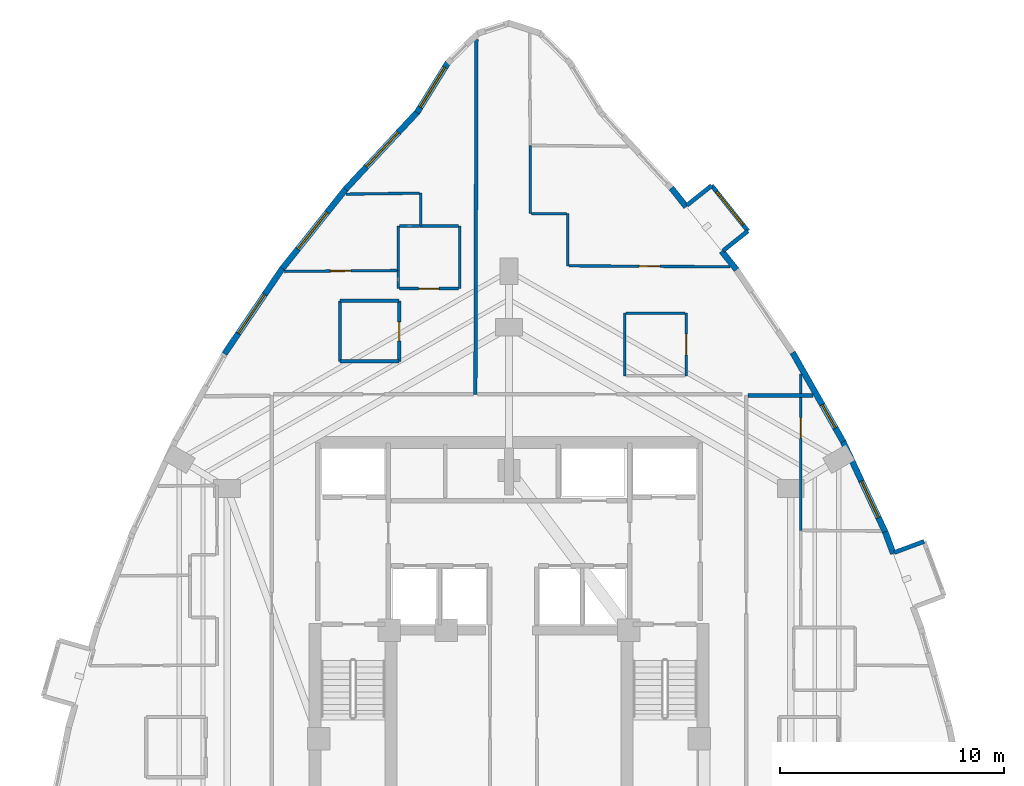
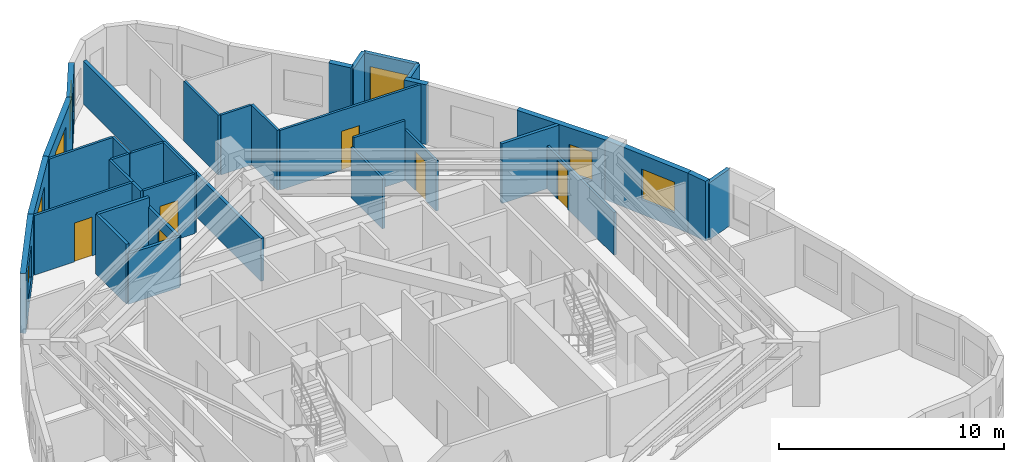
# One storey, part 12 of 14: 36 walls, 7 windows, 6 doors, 13 openings.
"""IFC4 building model written with IfcOpenShell, lengths in metres."""

from ifc_helpers import new_model, si_unit, direction, frame, frame_2d, origin, place, context, subcontext, project, spatial, rectangle, extrude, material, layer, layer_set, type_object, element, fill, save


model = new_model("IFC4")

# Units and contexts
model_context = context("Model", 3, precision=1e-05, world=origin(), true_north=direction((0.0, 1.0)))
body_context = subcontext(model_context, "Body", "Model", "MODEL_VIEW")
ifc_project = project(units=[si_unit("LENGTHUNIT", "METRE"), si_unit("AREAUNIT", "SQUARE_METRE"), si_unit("VOLUMEUNIT", "CUBIC_METRE"), si_unit("PLANEANGLEUNIT", "RADIAN"), si_unit("MASSUNIT", "GRAM", prefix="KILO")], contexts=[model_context])

# Site, building, storey
site_placement = place(None, origin())
site = spatial("IfcSite", under=ifc_project, at=site_placement, CompositionType="ELEMENT")
building_placement = place(site_placement, origin())
building = spatial("IfcBuilding", under=site, at=building_placement, Name="Miruveldt Soraemaru", CompositionType="ELEMENT")
storey_placement = place(building_placement, frame((0.0, 0.0, 117.89990234375)))
storey = spatial("IfcBuildingStorey", under=building, at=storey_placement, Name="L32", CompositionType="ELEMENT", Elevation=117.89990234375)

# Walls
ifc_material_1 = material(Name="White powder-coated aluminium EN AW-6060 T6", Category="aluminium")
ifc_layer_1 = layer(ifc_material_1, 0.18994140625, Name="White powder-coated aluminium EN AW-6060 T6", Category="aluminium")
ifc_layer_set_1 = layer_set([ifc_layer_1], Name="White powder-coated aluminium EN AW-6060 T6")
wall_type_1 = type_object("IfcWallType", Name="WALL-BAY-ALU190", PredefinedType="SOLIDWALL", material=ifc_layer_set_1)
for number, where, z_axis, x_axis, name in (
    (1, (62.55712890625, 48.029541015625, 0.0), (0.0, 0.0, 1.0), (-0.937129361406, -0.348982177182, 0.0), "L32 Bay Window Side Cheek 3R"),
    (2, (53.5703125, 61.017333984375, 0.0), (0.0, 0.0, 1.0), (0.781737193764, 0.623608017817, 0.0), "L32 Bay Window Side Cheek 4L"),
    (3, (53.06298828125, 63.938720703125, 0.0), (0.0, 0.0, 1.0), (-0.781737193764, -0.623608017817, 0.0), "L32 Bay Window Side Cheek 4R"),
):
    element("IfcWall", number, at=place(storey_placement, frame(where, z_axis=z_axis, x_axis=x_axis)), inside=storey, type_object=wall_type_1, Name=name, PredefinedType="SOLIDWALL", context=body_context, shape_type="SweptSolid", body=[
        extrude(rectangle(XDim=1.425048828125, YDim=0.18994140625, at=frame_2d((0.71240234375, 0.0))), origin(), (0.0, 0.0, 1.0), 3.085205078125),
    ])

# Wall, opening, window
wall_1_placement = place(storey_placement, frame((54.684326171875, 61.906005859375, 0.0), z_axis=(0.0, 0.0, 1.0), x_axis=(-0.62356077149, 0.781774880805, 0.0)))
wall_1 = element("IfcWall", 4, at=wall_1_placement, inside=storey, type_object=wall_type_1, Name="L32 Bay Window Front Frame 4", PredefinedType="SOLIDWALL", context=body_context, shape_type="SweptSolid", body=[
    extrude(rectangle(XDim=2.60009765625, YDim=0.18994140625, at=frame_2d((1.300048828125, 0.0))), origin(), (0.0, 0.0, 1.0), 3.085205078125),
])
opening_1_placement = place(wall_1_placement, frame((0.35009765625, 0.0, 0.550048828125)))
opening_1 = element("IfcOpeningElement", 5, at=opening_1_placement, cuts=wall_1, Name="Opening WN-6", PredefinedType="OPENING", context=body_context, shape_type="SweptSolid", body=[
    extrude(rectangle(XDim=1.89990234375, YDim=1.85009765625, at=frame_2d((0.949951171875, 0.925048828125))), frame((0.0, 0.10498046875, 0.0), z_axis=(0.0, -1.0, 0.0), x_axis=(1.0, 0.0, 0.0)), (0.0, 0.0, 1.0), 0.2099609375),
])
ifc_material_2 = material(Name="Triple low-e insulated glazing", Category="glass")
window_type_1 = type_object("IfcWindowType", Name="WIN-BAYW-1900x1850", PartitioningType="SINGLE_PANEL", PredefinedType="WINDOW", material=ifc_material_2)
window_1_placement = place(opening_1_placement, origin())
window_1 = element("IfcWindow", 6, at=window_1_placement, inside=storey, type_object=window_type_1, Name="L32 Projecting Bay Window 4", OverallHeight=1.85009765625, OverallWidth=1.89990234375, PartitioningType="SINGLE_PANEL", PredefinedType="WINDOW", context=body_context, shape_type="SweptSolid", body=[
    extrude(rectangle(XDim=1.89990234375, YDim=1.85009765625, at=frame_2d((0.949951171875, 0.925048828125))), frame((0.0, 0.030029296875, 0.0), z_axis=(0.0, -1.0, 0.0), x_axis=(1.0, 0.0, 0.0)), (0.0, 0.0, 1.0), 0.06005859375),
])
fill(opening_1, window_1)

ifc_material_3 = material(Name="Precast concrete C45/55 (45 MPa)", Category="concrete")
ifc_layer_2 = layer(ifc_material_3, 0.27001953125, Name="Precast concrete C45/55 (45 MPa)", Category="concrete")
ifc_layer_set_2 = layer_set([ifc_layer_2], Name="Precast concrete C45/55 (45 MPa)")
wall_type_2 = type_object("IfcWallType", Name="WALL-EXT-PC270", PredefinedType="SOLIDWALL", material=ifc_layer_set_2)
wall_2_placement = place(storey_placement, frame((41.289306640625, 69.462890625, 0.0), z_axis=(0.0, 0.0, 1.0), x_axis=(-0.526013792322, -0.850476037456, 0.0)))
wall_2 = element("IfcWall", 7, at=wall_2_placement, inside=storey, type_object=wall_type_2, Name="L32 Precast Concrete Facade Wall 6", PredefinedType="SOLIDWALL", context=body_context, shape_type="SweptSolid", body=[
    extrude(rectangle(XDim=2.66357421875, YDim=0.27001953125, at=frame_2d((1.331787109375, 0.0))), origin(), (0.0, 0.0, 1.0), 3.235107421875),
])
opening_2_placement = place(wall_2_placement, frame((0.281982421875, 0.0, 0.800048828125)))
opening_2 = element("IfcOpeningElement", 8, at=opening_2_placement, cuts=wall_2, Name="Opening WN-1", PredefinedType="OPENING", context=body_context, shape_type="SweptSolid", body=[
    extrude(rectangle(XDim=2.10009765625, YDim=1.699951171875, at=frame_2d((1.050048828125, 0.85009765625))), frame((0.0, 0.14501953125, 0.0), z_axis=(0.0, -1.0, 0.0), x_axis=(1.0, 0.0, 0.0)), (0.0, 0.0, 1.0), 0.2900390625),
])
window_type_2 = type_object("IfcWindowType", Name="WIN-PUNCH-2100x1700", PartitioningType="SINGLE_PANEL", PredefinedType="WINDOW", material=ifc_material_2)
window_2_placement = place(opening_2_placement, origin())
window_2 = element("IfcWindow", 9, at=window_2_placement, inside=storey, type_object=window_type_2, Name="L32 Punched Triple-Glazed Window 06.1", OverallHeight=1.699951171875, OverallWidth=2.10009765625, PartitioningType="SINGLE_PANEL", PredefinedType="WINDOW", context=body_context, shape_type="SweptSolid", body=[
    extrude(rectangle(XDim=2.10009765625, YDim=1.699951171875, at=frame_2d((1.050048828125, 0.85009765625))), frame((0.0, 0.030029296875, 0.0), z_axis=(0.0, -1.0, 0.0), x_axis=(1.0, 0.0, 0.0)), (0.0, 0.0, 1.0), 0.06005859375),
])
fill(opening_2, window_2)

wall_3_placement = place(storey_placement, frame((39.930419921875, 67.2529296875, 0.0), z_axis=(0.0, 0.0, 1.0), x_axis=(-0.680907985311, -0.732368974998, 0.0)))
wall_3 = element("IfcWall", 10, at=wall_3_placement, inside=storey, type_object=wall_type_2, Name="L32 Precast Concrete Facade Wall 7", PredefinedType="SOLIDWALL", context=body_context, shape_type="SweptSolid", body=[
    extrude(rectangle(XDim=4.753662109375, YDim=0.27001953125, at=frame_2d((2.376953125, 0.0))), origin(), (0.0, 0.0, 1.0), 3.235107421875),
])
opening_3_placement = place(wall_3_placement, frame((1.280029296875, 0.0, 0.800048828125)))
opening_3 = element("IfcOpeningElement", 11, at=opening_3_placement, cuts=wall_3, Name="Opening WN-1", PredefinedType="OPENING", context=body_context, shape_type="SweptSolid", body=[
    extrude(rectangle(XDim=2.10009765625, YDim=1.699951171875, at=frame_2d((1.050048828125, 0.85009765625))), frame((0.0, 0.14501953125, 0.0), z_axis=(0.0, -1.0, 0.0), x_axis=(1.0, 0.0, 0.0)), (0.0, 0.0, 1.0), 0.2900390625),
])
window_3_placement = place(opening_3_placement, origin())
window_3 = element("IfcWindow", 12, at=window_3_placement, inside=storey, type_object=window_type_2, Name="L32 Punched Triple-Glazed Window 07.1", OverallHeight=1.699951171875, OverallWidth=2.10009765625, PartitioningType="SINGLE_PANEL", PredefinedType="WINDOW", context=body_context, shape_type="SweptSolid", body=[
    extrude(rectangle(XDim=2.10009765625, YDim=1.699951171875, at=frame_2d((1.050048828125, 0.85009765625))), frame((0.0, 0.030029296875, 0.0), z_axis=(0.0, -1.0, 0.0), x_axis=(1.0, 0.0, 0.0)), (0.0, 0.0, 1.0), 0.06005859375),
])
fill(opening_3, window_3)

wall_4_placement = place(storey_placement, frame((36.7392578125, 63.82470703125, 0.0), z_axis=(0.0, 0.0, 1.0), x_axis=(-0.623591359233, -0.781750482372, 0.0)))
wall_4 = element("IfcWall", 13, at=wall_4_placement, inside=storey, type_object=wall_type_2, Name="L32 Precast Concrete Facade Wall 8", PredefinedType="SOLIDWALL", context=body_context, shape_type="SweptSolid", body=[
    extrude(rectangle(XDim=4.66943359375, YDim=0.27001953125, at=frame_2d((2.334716796875, 0.0))), origin(), (0.0, 0.0, 1.0), 3.235107421875),
])
opening_4_placement = place(wall_4_placement, frame((1.386962890625, 0.0, 0.800048828125)))
opening_4 = element("IfcOpeningElement", 14, at=opening_4_placement, cuts=wall_4, Name="Opening WN-1", PredefinedType="OPENING", context=body_context, shape_type="SweptSolid", body=[
    extrude(rectangle(XDim=2.10009765625, YDim=1.699951171875, at=frame_2d((1.050048828125, 0.85009765625))), frame((0.0, 0.14501953125, 0.0), z_axis=(0.0, -1.0, 0.0), x_axis=(1.0, 0.0, 0.0)), (0.0, 0.0, 1.0), 0.2900390625),
])
window_4_placement = place(opening_4_placement, origin())
window_4 = element("IfcWindow", 15, at=window_4_placement, inside=storey, type_object=window_type_2, Name="L32 Punched Triple-Glazed Window 08.1", OverallHeight=1.699951171875, OverallWidth=2.10009765625, PartitioningType="SINGLE_PANEL", PredefinedType="WINDOW", context=body_context, shape_type="SweptSolid", body=[
    extrude(rectangle(XDim=2.10009765625, YDim=1.699951171875, at=frame_2d((1.050048828125, 0.85009765625))), frame((0.0, 0.030029296875, 0.0), z_axis=(0.0, -1.0, 0.0), x_axis=(1.0, 0.0, 0.0)), (0.0, 0.0, 1.0), 0.06005859375),
])
fill(opening_4, window_4)

wall_5_placement = place(storey_placement, frame((33.868896484375, 60.230712890625, 0.0), z_axis=(0.0, 0.0, 1.0), x_axis=(-0.560841123117, -0.827923447319, 0.0)))
wall_5 = element("IfcWall", 16, at=wall_5_placement, inside=storey, type_object=wall_type_2, Name="L32 Precast Concrete Facade Wall 9", PredefinedType="SOLIDWALL", context=body_context, shape_type="SweptSolid", body=[
    extrude(rectangle(XDim=4.612548828125, YDim=0.27001953125, at=frame_2d((2.30615234375, 0.0))), origin(), (0.0, 0.0, 1.0), 3.235107421875),
])
opening_5_placement = place(wall_5_placement, frame((1.406005859375, 0.0, 0.800048828125)))
opening_5 = element("IfcOpeningElement", 17, at=opening_5_placement, cuts=wall_5, Name="Opening WN-1", PredefinedType="OPENING", context=body_context, shape_type="SweptSolid", body=[
    extrude(rectangle(XDim=2.10009765625, YDim=1.699951171875, at=frame_2d((1.050048828125, 0.85009765625))), frame((0.0, 0.14501953125, 0.0), z_axis=(0.0, -1.0, 0.0), x_axis=(1.0, 0.0, 0.0)), (0.0, 0.0, 1.0), 0.2900390625),
])
window_5_placement = place(opening_5_placement, origin())
window_5 = element("IfcWindow", 18, at=window_5_placement, inside=storey, type_object=window_type_2, Name="L32 Punched Triple-Glazed Window 09.1", OverallHeight=1.699951171875, OverallWidth=2.10009765625, PartitioningType="SINGLE_PANEL", PredefinedType="WINDOW", context=body_context, shape_type="SweptSolid", body=[
    extrude(rectangle(XDim=2.10009765625, YDim=1.699951171875, at=frame_2d((1.050048828125, 0.85009765625))), frame((0.0, 0.030029296875, 0.0), z_axis=(0.0, -1.0, 0.0), x_axis=(1.0, 0.0, 0.0)), (0.0, 0.0, 1.0), 0.06005859375),
])
fill(opening_5, window_5)

# Wall
wall_6_placement = place(storey_placement, frame((61.180908203125, 47.48486328125, 0.0), z_axis=(0.0, 0.0, 1.0), x_axis=(-0.349109023173, 0.937082114833, 0.0)))
element("IfcWall", 19, at=wall_6_placement, inside=storey, type_object=wall_type_2, Name="L32 Precast Pier Wall 37B", PredefinedType="SOLIDWALL", context=body_context, shape_type="SweptSolid", body=[
    extrude(rectangle(XDim=1.036376953125, YDim=0.27001953125, at=frame_2d((0.51806640625, 0.0))), origin(), (0.0, 0.0, 1.0), 3.235107421875),
])

# Wall, opening, window
wall_7_placement = place(storey_placement, frame((60.84619140625, 48.3916015625, 0.0), z_axis=(0.0, 0.0, 1.0), x_axis=(-0.422328448577, 0.90644287273, 0.0)))
wall_7 = element("IfcWall", 20, at=wall_7_placement, inside=storey, type_object=wall_type_2, Name="L32 Precast Concrete Facade Wall 38", PredefinedType="SOLIDWALL", context=body_context, shape_type="SweptSolid", body=[
    extrude(rectangle(XDim=4.58349609375, YDim=0.27001953125, at=frame_2d((2.291748046875, 0.0))), origin(), (0.0, 0.0, 1.0), 3.235107421875),
])
opening_6_placement = place(wall_7_placement, frame((0.77197265625, 0.0, 0.800048828125)))
opening_6 = element("IfcOpeningElement", 21, at=opening_6_placement, cuts=wall_7, Name="Opening WN-2", PredefinedType="OPENING", context=body_context, shape_type="SweptSolid", body=[
    extrude(rectangle(XDim=1.800048828125, YDim=1.64990234375, at=frame_2d((0.89990234375, 0.824951171875))), frame((0.0, 0.14501953125, 0.0), z_axis=(0.0, -1.0, 0.0), x_axis=(1.0, 0.0, 0.0)), (0.0, 0.0, 1.0), 0.2900390625),
])
window_type_3 = type_object("IfcWindowType", Name="WIN-PUNCH-1800x1650", PartitioningType="SINGLE_PANEL", PredefinedType="WINDOW", material=ifc_material_2)
window_6_placement = place(opening_6_placement, origin())
window_6 = element("IfcWindow", 22, at=window_6_placement, inside=storey, type_object=window_type_3, Name="L32 Punched Triple-Glazed Window 38.1", OverallHeight=1.64990234375, OverallWidth=1.800048828125, PartitioningType="SINGLE_PANEL", PredefinedType="WINDOW", context=body_context, shape_type="SweptSolid", body=[
    extrude(rectangle(XDim=1.800048828125, YDim=1.64990234375, at=frame_2d((0.89990234375, 0.824951171875))), frame((0.0, 0.030029296875, 0.0), z_axis=(0.0, -1.0, 0.0), x_axis=(1.0, 0.0, 0.0)), (0.0, 0.0, 1.0), 0.06005859375),
])
fill(opening_6, window_6)

wall_8_placement = place(storey_placement, frame((58.9423828125, 52.484130859375, 0.0), z_axis=(0.0, 0.0, 1.0), x_axis=(-0.493365968838, 0.869821832786, 0.0)))
wall_8 = element("IfcWall", 23, at=wall_8_placement, inside=storey, type_object=wall_type_2, Name="L32 Precast Concrete Facade Wall 39", PredefinedType="SOLIDWALL", context=body_context, shape_type="SweptSolid", body=[
    extrude(rectangle(XDim=4.583740234375, YDim=0.27001953125, at=frame_2d((2.2919921875, 0.0))), origin(), (0.0, 0.0, 1.0), 3.235107421875),
])
opening_7_placement = place(wall_8_placement, frame((0.7060546875, 0.0, 0.780029296875)))
opening_7 = element("IfcOpeningElement", 24, at=opening_7_placement, cuts=wall_8, Name="Opening WN-4", PredefinedType="OPENING", context=body_context, shape_type="SweptSolid", body=[
    extrude(rectangle(XDim=1.199951171875, YDim=1.550048828125, at=frame_2d((0.60009765625, 0.77490234375))), frame((0.0, 0.14501953125, 0.0), z_axis=(0.0, -1.0, 0.0), x_axis=(1.0, 0.0, 0.0)), (0.0, 0.0, 1.0), 0.2900390625),
])
window_type_4 = type_object("IfcWindowType", Name="WIN-PUNCH-1200x1550", PartitioningType="SINGLE_PANEL", PredefinedType="WINDOW", material=ifc_material_2)
window_7_placement = place(opening_7_placement, origin())
window_7 = element("IfcWindow", 25, at=window_7_placement, inside=storey, type_object=window_type_4, Name="L32 Punched Triple-Glazed Window 39.1", OverallHeight=1.550048828125, OverallWidth=1.199951171875, PartitioningType="SINGLE_PANEL", PredefinedType="WINDOW", context=body_context, shape_type="SweptSolid", body=[
    extrude(rectangle(XDim=1.199951171875, YDim=1.550048828125, at=frame_2d((0.60009765625, 0.77490234375))), frame((0.0, 0.030029296875, 0.0), z_axis=(0.0, -1.0, 0.0), x_axis=(1.0, 0.0, 0.0)), (0.0, 0.0, 1.0), 0.06005859375),
])
fill(opening_7, window_7)

# Walls
for number, where, z_axis, x_axis, name in (
    (26, (54.172607421875, 60.17431640625, 0.0), (0.0, 0.0, 1.0), (-0.623687858662, 0.781673496389, 0.0), "L32 Precast Pier Wall 41A"),
    (27, (51.924560546875, 62.9921875, 0.0), (0.0, 0.0, 1.0), (-0.623435944925, 0.781874428905, 0.0), "L32 Precast Pier Wall 41B"),
):
    element("IfcWall", number, at=place(storey_placement, frame(where, z_axis=z_axis, x_axis=x_axis)), inside=storey, type_object=wall_type_2, Name=name, PredefinedType="SOLIDWALL", context=body_context, shape_type="SweptSolid", body=[
        extrude(rectangle(XDim=1.064697265625, YDim=0.27001953125, at=frame_2d((0.5322265625, 0.0))), origin(), (0.0, 0.0, 1.0), 3.235107421875),
    ])

# Wall, opening, door
ifc_material_4 = material(Name="Gypsum plasterboard lining", Category="gypsum")
ifc_layer_3 = layer(ifc_material_4, 0.1201171875, Name="Gypsum plasterboard lining", Category="gypsum")
ifc_layer_set_3 = layer_set([ifc_layer_3], Name="Gypsum plasterboard lining")
wall_type_3 = type_object("IfcWallType", Name="WALL-INT-P120", PredefinedType="PARTITIONING", material=ifc_layer_set_3)
wall_9_placement = place(storey_placement, frame((53.8779296875, 60.303955078125, 0.0), z_axis=(0.0, 0.0, 1.0), x_axis=(-0.999982133105, 0.00597774796, 0.0)))
wall_9 = element("IfcWall", 28, at=wall_9_placement, inside=storey, type_object=wall_type_3, Name="L32 Partition Wall 29", PredefinedType="PARTITIONING", context=body_context, shape_type="SweptSolid", body=[
    extrude(rectangle(XDim=7.188232421875, YDim=0.1201171875, at=frame_2d((3.59423828125, 0.0))), origin(), (0.0, 0.0, 1.0), 3.235107421875),
])
opening_8_placement = place(wall_9_placement, frame((3.134033203125, 0.0, 0.0)))
opening_8 = element("IfcOpeningElement", 29, at=opening_8_placement, cuts=wall_9, Name="Opening D3A", PredefinedType="OPENING", context=body_context, shape_type="SweptSolid", body=[
    extrude(rectangle(XDim=0.919921875, YDim=2.10009765625, at=frame_2d((0.4599609375, 1.050048828125))), frame((0.0, 0.070068359375, 0.0), z_axis=(0.0, -1.0, 0.0), x_axis=(1.0, 0.0, 0.0)), (0.0, 0.0, 1.0), 0.14013671875),
])
ifc_material_5 = material(Name="Anodised aluminium EN AW-6063 T6", Category="aluminium")
door_type_1 = type_object("IfcDoorType", Name="DOOR-INT-920", OperationType="NOTDEFINED", PredefinedType="DOOR", material=ifc_material_5)
door_1_placement = place(opening_8_placement, origin())
door_1 = element("IfcDoor", 30, at=door_1_placement, inside=storey, type_object=door_type_1, Name="L32 Unit 3202 BD1 Door", OperationType="SINGLE_SWING_LEFT", OverallHeight=2.10009765625, OverallWidth=0.919921875, PredefinedType="DOOR", context=body_context, shape_type="SweptSolid", body=[
    extrude(rectangle(XDim=0.919921875, YDim=2.10009765625, at=frame_2d((0.4599609375, 1.050048828125))), frame((0.0, 0.02490234375, 0.0), z_axis=(0.0, -1.0, 0.0), x_axis=(1.0, 0.0, 0.0)), (0.0, 0.0, 1.0), 0.050048828125),
])
fill(opening_8, door_1)

wall_10_placement = place(storey_placement, frame((57.050048828125, 48.52099609375, 0.0), z_axis=(0.0, 0.0, 1.0), x_axis=(0.0, 1.0, 0.0)))
wall_10 = element("IfcWall", 31, at=wall_10_placement, inside=storey, type_object=wall_type_3, Name="L32 Partition Wall 59", PredefinedType="PARTITIONING", context=body_context, shape_type="SweptSolid", body=[
    extrude(rectangle(XDim=6.99609375, YDim=0.1201171875, at=frame_2d((3.498046875, 0.0))), origin(), (0.0, 0.0, 1.0), 2.322998046875),
])
opening_9_placement = place(wall_10_placement, frame((4.117919921875, 0.0, 0.0)))
opening_9 = element("IfcOpeningElement", 32, at=opening_9_placement, cuts=wall_10, Name="Opening D3A", PredefinedType="OPENING", context=body_context, shape_type="SweptSolid", body=[
    extrude(rectangle(XDim=0.919921875, YDim=2.10009765625, at=frame_2d((0.4599609375, 1.050048828125))), frame((0.0, 0.070068359375, 0.0), z_axis=(0.0, -1.0, 0.0), x_axis=(1.0, 0.0, 0.0)), (0.0, 0.0, 1.0), 0.14013671875),
])
door_2_placement = place(opening_9_placement, origin())
door_2 = element("IfcDoor", 33, at=door_2_placement, inside=storey, type_object=door_type_1, Name="L32 Unit 3204 BD2 Door", OperationType="SINGLE_SWING_LEFT", OverallHeight=2.10009765625, OverallWidth=0.919921875, PredefinedType="DOOR", context=body_context, shape_type="SweptSolid", body=[
    extrude(rectangle(XDim=0.919921875, YDim=2.10009765625, at=frame_2d((0.4599609375, 1.050048828125))), frame((0.0, 0.02490234375, 0.0), z_axis=(0.0, -1.0, 0.0), x_axis=(1.0, 0.0, 0.0)), (0.0, 0.0, 1.0), 0.050048828125),
])
fill(opening_9, door_2)

wall_11_placement = place(storey_placement, frame((38.98388671875, 60.136962890625, 0.0), z_axis=(0.0, 0.0, 1.0), x_axis=(-0.999969773772, -0.007775058985, 0.0)))
wall_11 = element("IfcWall", 34, at=wall_11_placement, inside=storey, type_object=wall_type_3, Name="L32 Partition Wall 20", PredefinedType="PARTITIONING", context=body_context, shape_type="SweptSolid", body=[
    extrude(rectangle(XDim=5.024169921875, YDim=0.1201171875, at=frame_2d((2.51220703125, 0.0))), origin(), (0.0, 0.0, 1.0), 3.235107421875),
])
opening_10_placement = place(wall_11_placement, frame((2.052001953125, 0.0, 0.0)))
opening_10 = element("IfcOpeningElement", 35, at=opening_10_placement, cuts=wall_11, Name="Opening D3A", PredefinedType="OPENING", context=body_context, shape_type="SweptSolid", body=[
    extrude(rectangle(XDim=0.919921875, YDim=2.10009765625, at=frame_2d((0.4599609375, 1.050048828125))), frame((0.0, 0.070068359375, 0.0), z_axis=(0.0, -1.0, 0.0), x_axis=(1.0, 0.0, 0.0)), (0.0, 0.0, 1.0), 0.14013671875),
])
door_3_placement = place(opening_10_placement, origin())
door_3 = element("IfcDoor", 36, at=door_3_placement, inside=storey, type_object=door_type_1, Name="L32 Unit 3201 BD1 Door", OperationType="SINGLE_SWING_RIGHT", OverallHeight=2.10009765625, OverallWidth=0.919921875, PredefinedType="DOOR", context=body_context, shape_type="SweptSolid", body=[
    extrude(rectangle(XDim=0.919921875, YDim=2.10009765625, at=frame_2d((0.4599609375, 1.050048828125))), frame((0.0, 0.02490234375, 0.0), z_axis=(0.0, -1.0, 0.0), x_axis=(1.0, 0.0, 0.0)), (0.0, 0.0, 1.0), 0.050048828125),
])
fill(opening_10, door_3)

wall_12_placement = place(storey_placement, frame((51.929931640625, 55.429931640625, 0.0), z_axis=(0.0, 0.0, 1.0), x_axis=(0.0, 1.0, 0.0)))
wall_12 = element("IfcWall", 37, at=wall_12_placement, inside=storey, type_object=wall_type_3, Name="L32 Partition Wall 25", PredefinedType="PARTITIONING", context=body_context, shape_type="SweptSolid", body=[
    extrude(rectangle(XDim=2.800048828125, YDim=0.1201171875, at=frame_2d((1.39990234375, 0.0))), origin(), (0.0, 0.0, 1.0), 2.72314453125),
])
opening_11_placement = place(wall_12_placement, frame((0.93994140625, 0.0, 0.0)))
opening_11 = element("IfcOpeningElement", 38, at=opening_11_placement, cuts=wall_12, Name="Opening D3A", PredefinedType="OPENING", context=body_context, shape_type="SweptSolid", body=[
    extrude(rectangle(XDim=0.919921875, YDim=2.10009765625, at=frame_2d((0.4599609375, 1.050048828125))), frame((0.0, 0.070068359375, 0.0), z_axis=(0.0, -1.0, 0.0), x_axis=(1.0, 0.0, 0.0)), (0.0, 0.0, 1.0), 0.14013671875),
])
door_4_placement = place(opening_11_placement, origin())
door_4 = element("IfcDoor", 39, at=door_4_placement, inside=storey, type_object=door_type_1, Name="L32 Unit 3202 KIT Door", OperationType="SINGLE_SWING_RIGHT", OverallHeight=2.10009765625, OverallWidth=0.919921875, PredefinedType="DOOR", context=body_context, shape_type="SweptSolid", body=[
    extrude(rectangle(XDim=0.919921875, YDim=2.10009765625, at=frame_2d((0.4599609375, 1.050048828125))), frame((0.0, 0.02490234375, 0.0), z_axis=(0.0, -1.0, 0.0), x_axis=(1.0, 0.0, 0.0)), (0.0, 0.0, 1.0), 0.050048828125),
])
fill(opening_11, door_4)

wall_13_placement = place(storey_placement, frame((39.10400390625, 59.330078125, 0.0), z_axis=(0.0, 0.0, 1.0), x_axis=(1.0, 0.0, 0.0)))
wall_13 = element("IfcWall", 40, at=wall_13_placement, inside=storey, type_object=wall_type_3, Name="L32 Partition Wall 17", PredefinedType="PARTITIONING", context=body_context, shape_type="SweptSolid", body=[
    extrude(rectangle(XDim=2.6298828125, YDim=0.1201171875, at=frame_2d((1.31494140625, 0.0))), origin(), (0.0, 0.0, 1.0), 3.235107421875),
])
opening_12_placement = place(wall_13_placement, frame((0.85498046875, 0.0, 0.0)))
opening_12 = element("IfcOpeningElement", 41, at=opening_12_placement, cuts=wall_13, Name="Opening D3A", PredefinedType="OPENING", context=body_context, shape_type="SweptSolid", body=[
    extrude(rectangle(XDim=0.919921875, YDim=2.10009765625, at=frame_2d((0.4599609375, 1.050048828125))), frame((0.0, 0.070068359375, 0.0), z_axis=(0.0, -1.0, 0.0), x_axis=(1.0, 0.0, 0.0)), (0.0, 0.0, 1.0), 0.14013671875),
])
door_5_placement = place(opening_12_placement, origin())
door_5 = element("IfcDoor", 42, at=door_5_placement, inside=storey, type_object=door_type_1, Name="L32 Unit 3201 KIT Door", OperationType="SINGLE_SWING_LEFT", OverallHeight=2.10009765625, OverallWidth=0.919921875, PredefinedType="DOOR", context=body_context, shape_type="SweptSolid", body=[
    extrude(rectangle(XDim=0.919921875, YDim=2.10009765625, at=frame_2d((0.4599609375, 1.050048828125))), frame((0.0, 0.02490234375, 0.0), z_axis=(0.0, -1.0, 0.0), x_axis=(1.0, 0.0, 0.0)), (0.0, 0.0, 1.0), 0.050048828125),
])
fill(opening_12, door_5)

# Walls
wall_14_placement = place(storey_placement, frame((36.714111328125, 63.552001953125, 0.0), z_axis=(0.0, 0.0, 1.0), x_axis=(0.999913987072, 0.013115580692, 0.0)))
element("IfcWall", 43, at=wall_14_placement, inside=storey, type_object=wall_type_3, Name="L32 Partition Wall 18", PredefinedType="PARTITIONING", context=body_context, shape_type="SweptSolid", body=[
    extrude(rectangle(XDim=3.276123046875, YDim=0.1201171875, at=frame_2d((1.63818359375, 0.0))), origin(), (0.0, 0.0, 1.0), 3.235107421875),
])
wall_15_placement = place(storey_placement, frame((44.949951171875, 62.679931640625, 0.0), z_axis=(0.0, 0.0, 1.0), x_axis=(0.0, 1.0, 0.0)))
element("IfcWall", 44, at=wall_15_placement, inside=storey, type_object=wall_type_3, Name="L32 Partition Wall 32", PredefinedType="PARTITIONING", context=body_context, shape_type="SweptSolid", body=[
    extrude(rectangle(XDim=3.051025390625, YDim=0.1201171875, at=frame_2d((1.525390625, 0.0))), origin(), (0.0, 0.0, 1.0), 3.235107421875),
])
wall_16_placement = place(storey_placement, frame((41.7939453125, 59.330078125, 0.0), z_axis=(0.0, 0.0, 1.0), x_axis=(0.0, 1.0, 0.0)))
element("IfcWall", 45, at=wall_16_placement, inside=storey, type_object=wall_type_3, Name="L32 Partition Wall 14", PredefinedType="PARTITIONING", context=body_context, shape_type="SweptSolid", body=[
    extrude(rectangle(XDim=2.7998046875, YDim=0.1201171875, at=frame_2d((1.39990234375, 0.0))), origin(), (0.0, 0.0, 1.0), 3.235107421875),
])
wall_17_placement = place(storey_placement, frame((49.179931640625, 58.22998046875, 0.0), z_axis=(0.0, 0.0, 1.0), x_axis=(0.0, -1.0, 0.0)))
element("IfcWall", 46, at=wall_17_placement, inside=storey, type_object=wall_type_3, Name="L32 Partition Wall 27", PredefinedType="PARTITIONING", context=body_context, shape_type="SweptSolid", body=[
    extrude(rectangle(XDim=2.800048828125, YDim=0.1201171875, at=frame_2d((1.39990234375, 0.0))), origin(), (0.0, 0.0, 1.0), 2.72314453125),
])
wall_18_placement = place(storey_placement, frame((51.8701171875, 58.22998046875, 0.0), z_axis=(0.0, 0.0, 1.0), x_axis=(-1.0, 0.0, 0.0)))
element("IfcWall", 47, at=wall_18_placement, inside=storey, type_object=wall_type_3, Name="L32 Partition Wall 26", PredefinedType="PARTITIONING", context=body_context, shape_type="SweptSolid", body=[
    extrude(rectangle(XDim=2.630126953125, YDim=0.1201171875, at=frame_2d((1.31494140625, 0.0))), origin(), (0.0, 0.0, 1.0), 3.235107421875),
])
wall_19_placement = place(storey_placement, frame((46.6298828125, 60.346923828125, 0.0), z_axis=(0.0, 0.0, 1.0), x_axis=(0.0, 1.0, 0.0)))
element("IfcWall", 48, at=wall_19_placement, inside=storey, type_object=wall_type_3, Name="L32 Partition Wall 30", PredefinedType="PARTITIONING", context=body_context, shape_type="SweptSolid", body=[
    extrude(rectangle(XDim=2.3330078125, YDim=0.1201171875, at=frame_2d((1.16650390625, 0.0))), origin(), (0.0, 0.0, 1.0), 3.235107421875),
])
wall_20_placement = place(storey_placement, frame((39.0439453125, 62.1298828125, 0.0), z_axis=(0.0, 0.0, 1.0), x_axis=(0.0, -1.0, 0.0)))
element("IfcWall", 49, at=wall_20_placement, inside=storey, type_object=wall_type_3, Name="L32 Partition Wall 24", PredefinedType="PARTITIONING", context=body_context, shape_type="SweptSolid", body=[
    extrude(rectangle(XDim=1.992919921875, YDim=0.1201171875, at=frame_2d((0.99658203125, 0.0))), origin(), (0.0, 0.0, 1.0), 3.235107421875),
])
wall_21_placement = place(storey_placement, frame((41.73388671875, 62.1298828125, 0.0), z_axis=(0.0, 0.0, 1.0), x_axis=(-1.0, 0.0, 0.0)))
element("IfcWall", 50, at=wall_21_placement, inside=storey, type_object=wall_type_3, Name="L32 Partition Wall 15", PredefinedType="PARTITIONING", context=body_context, shape_type="SweptSolid", body=[
    extrude(rectangle(XDim=1.7138671875, YDim=0.1201171875, at=frame_2d((0.85693359375, 0.0))), origin(), (0.0, 0.0, 1.0), 3.235107421875),
])
wall_22_placement = place(storey_placement, frame((46.570068359375, 62.679931640625, 0.0), z_axis=(0.0, 0.0, 1.0), x_axis=(-1.0, 0.0, 0.0)))
element("IfcWall", 51, at=wall_22_placement, inside=storey, type_object=wall_type_3, Name="L32 Partition Wall 31", PredefinedType="PARTITIONING", context=body_context, shape_type="SweptSolid", body=[
    extrude(rectangle(XDim=1.56005859375, YDim=0.1201171875, at=frame_2d((0.780029296875, 0.0))), origin(), (0.0, 0.0, 1.0), 3.235107421875),
])
wall_23_placement = place(storey_placement, frame((40.050048828125, 63.595947265625, 0.0), z_axis=(0.0, 0.0, 1.0), x_axis=(0.0, -1.0, 0.0)))
element("IfcWall", 52, at=wall_23_placement, inside=storey, type_object=wall_type_3, Name="L32 Partition Wall 19", PredefinedType="PARTITIONING", context=body_context, shape_type="SweptSolid", body=[
    extrude(rectangle(XDim=1.466064453125, YDim=0.1201171875, at=frame_2d((0.73291015625, 0.0))), origin(), (0.0, 0.0, 1.0), 3.235107421875),
])
wall_24_placement = place(storey_placement, frame((39.0439453125, 60.136962890625, 0.0), z_axis=(0.0, 0.0, 1.0), x_axis=(0.0, -1.0, 0.0)))
element("IfcWall", 53, at=wall_24_placement, inside=storey, type_object=wall_type_3, Name="L32 Partition Wall 16", PredefinedType="PARTITIONING", context=body_context, shape_type="SweptSolid", body=[
    extrude(rectangle(XDim=0.806884765625, YDim=0.1201171875, at=frame_2d((0.4033203125, 0.0))), origin(), (0.0, 0.0, 1.0), 3.235107421875),
])
wall_25_placement = place(storey_placement, frame((39.989990234375, 62.1298828125, 0.0), z_axis=(0.0, 0.0, 1.0), x_axis=(-1.0, 0.0, 0.0)))
element("IfcWall", 54, at=wall_25_placement, inside=storey, type_object=wall_type_3, Name="L32 Partition Wall 23", PredefinedType="PARTITIONING", context=body_context, shape_type="SweptSolid", body=[
    extrude(rectangle(XDim=0.885986328125, YDim=0.1201171875, at=frame_2d((0.44287109375, 0.0))), origin(), (0.0, 0.0, 1.0), 3.235107421875),
])

# Wall, opening, door
ifc_layer_4 = layer(ifc_material_4, 0.14990234375, Name="Gypsum plasterboard lining", Category="gypsum")
ifc_layer_set_4 = layer_set([ifc_layer_4], Name="Gypsum plasterboard lining")
wall_type_4 = type_object("IfcWallType", Name="WALL-INT-PLUMB", PredefinedType="PLUMBINGWALL", material=ifc_layer_set_4)
wall_26_placement = place(storey_placement, frame((39.093994140625, 56.080078125, 0.0), z_axis=(0.0, 0.0, 1.0), x_axis=(0.0, 1.0, 0.0)))
wall_26 = element("IfcWall", 55, at=wall_26_placement, inside=storey, type_object=wall_type_4, Name="L32 Partition Wall 10", PredefinedType="PLUMBINGWALL", context=body_context, shape_type="SweptSolid", body=[
    extrude(rectangle(XDim=2.699951171875, YDim=0.14990234375, at=frame_2d((1.35009765625, 0.0))), origin(), (0.0, 0.0, 1.0), 2.72314453125),
])
opening_13_placement = place(wall_26_placement, frame((0.909912109375, 0.0, 0.0)))
opening_13 = element("IfcOpeningElement", 56, at=opening_13_placement, cuts=wall_26, Name="Opening FD3", PredefinedType="OPENING", context=body_context, shape_type="SweptSolid", body=[
    extrude(rectangle(XDim=0.85009765625, YDim=2.10009765625, at=frame_2d((0.425048828125, 1.050048828125))), frame((0.0, 0.0849609375, 0.0), z_axis=(0.0, -1.0, 0.0), x_axis=(1.0, 0.0, 0.0)), (0.0, 0.0, 1.0), 0.169921875),
])
door_type_2 = type_object("IfcDoorType", Name="DOOR-FD3-850", OperationType="NOTDEFINED", PredefinedType="DOOR", material=ifc_material_5)
door_6_placement = place(opening_13_placement, origin())
door_6 = element("IfcDoor", 57, at=door_6_placement, inside=storey, type_object=door_type_2, Name="L32 Unit 3201 BTH Door", OperationType="SINGLE_SWING_RIGHT", OverallHeight=2.10009765625, OverallWidth=0.85009765625, PredefinedType="DOOR", context=body_context, shape_type="SweptSolid", body=[
    extrude(rectangle(XDim=0.85009765625, YDim=2.10009765625, at=frame_2d((0.425048828125, 1.050048828125))), frame((0.0, 0.02490234375, 0.0), z_axis=(0.0, -1.0, 0.0), x_axis=(1.0, 0.0, 0.0)), (0.0, 0.0, 1.0), 0.050048828125),
])
fill(opening_13, door_6)

# Walls
wall_27_placement = place(storey_placement, frame((36.444091796875, 58.780029296875, 0.0), z_axis=(0.0, 0.0, 1.0), x_axis=(0.0, -1.0, 0.0)))
element("IfcWall", 58, at=wall_27_placement, inside=storey, type_object=wall_type_4, Name="L32 Partition Wall 12", PredefinedType="PLUMBINGWALL", context=body_context, shape_type="SweptSolid", body=[
    extrude(rectangle(XDim=2.699951171875, YDim=0.14990234375, at=frame_2d((1.35009765625, 0.0))), origin(), (0.0, 0.0, 1.0), 3.235107421875),
])
wall_28_placement = place(storey_placement, frame((39.093994140625, 58.780029296875, 0.0), z_axis=(0.0, 0.0, 1.0), x_axis=(-1.0, 0.0, 0.0)))
element("IfcWall", 59, at=wall_28_placement, inside=storey, type_object=wall_type_4, Name="L32 Partition Wall 11", PredefinedType="PLUMBINGWALL", context=body_context, shape_type="SweptSolid", body=[
    extrude(rectangle(XDim=2.64990234375, YDim=0.14990234375, at=frame_2d((1.324951171875, 0.0))), origin(), (0.0, 0.0, 1.0), 3.235107421875),
])
wall_29_placement = place(storey_placement, frame((36.444091796875, 56.080078125, 0.0), z_axis=(0.0, 0.0, 1.0), x_axis=(1.0, 0.0, 0.0)))
element("IfcWall", 60, at=wall_29_placement, inside=storey, type_object=wall_type_4, Name="L32 Partition Wall 13", PredefinedType="PLUMBINGWALL", context=body_context, shape_type="SweptSolid", body=[
    extrude(rectangle(XDim=2.64990234375, YDim=0.14990234375, at=frame_2d((1.324951171875, 0.0))), origin(), (0.0, 0.0, 1.0), 2.72314453125),
])
ifc_material_6 = material(Name="Concrete C40/50 (40 MPa)", Category="concrete")
ifc_layer_5 = layer(ifc_material_6, 0.159912109375, Name="Concrete C40/50 (40 MPa)", Category="concrete")
ifc_layer_set_5 = layer_set([ifc_layer_5], Name="Concrete C40/50 (40 MPa)")
wall_type_5 = type_object("IfcWallType", Name="WALL-INT-RC160", PredefinedType="SOLIDWALL", material=ifc_layer_set_5)
wall_30_placement = place(storey_placement, frame((42.5, 54.60302734375, 0.0), z_axis=(0.0, 0.0, 1.0), x_axis=(0.002971137475, 0.999995586161, 0.0)))
element("IfcWall", 61, at=wall_30_placement, inside=storey, type_object=wall_type_5, Name="L32 Partition Wall 21", PredefinedType="SOLIDWALL", context=body_context, shape_type="SweptSolid", body=[
    extrude(rectangle(XDim=15.85888671875, YDim=0.159912109375, at=frame_2d((7.929443359375, 0.0))), origin(), (0.0, 0.0, 1.0), 2.322998046875),
])
wall_31_placement = place(storey_placement, frame((54.679931640625, 54.550048828125, 0.0), z_axis=(0.0, 0.0, 1.0), x_axis=(1.0, 0.0, 0.0)))
element("IfcWall", 62, at=wall_31_placement, inside=storey, type_object=wall_type_5, Name="L32 Partition Wall 34", PredefinedType="SOLIDWALL", context=body_context, shape_type="SweptSolid", body=[
    extrude(rectangle(XDim=2.91796875, YDim=0.159912109375, at=frame_2d((1.458984375, 0.0))), origin(), (0.0, 0.0, 1.0), 3.235107421875),
])

save(model, "model.ifc")
